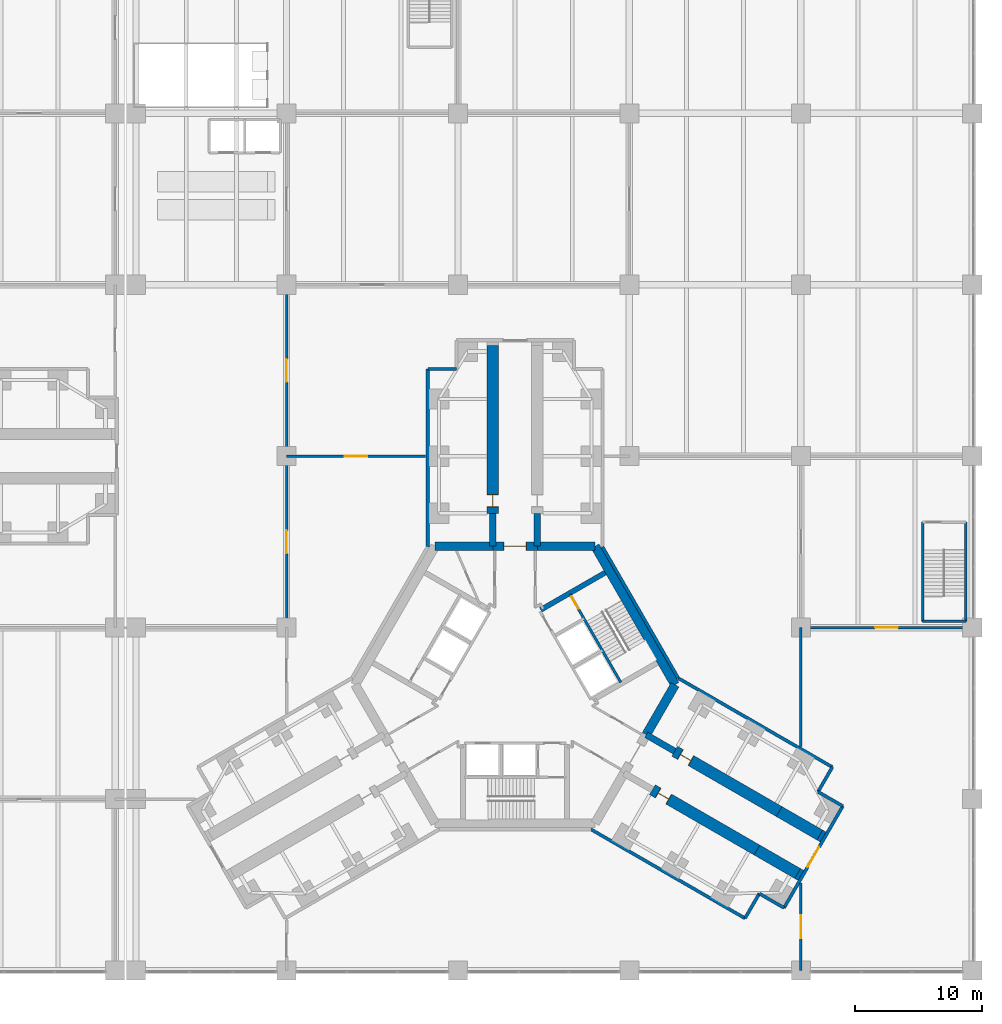
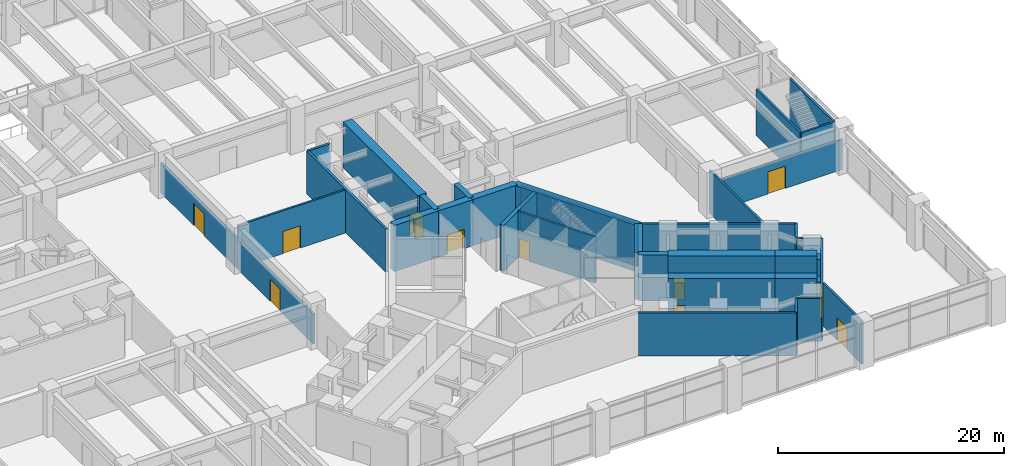
# One storey, part 26 of 32: 36 walls, 11 doors, 11 openings.
"""IFC4 building model written with IfcOpenShell, lengths in metres."""

from ifc_helpers import new_model, si_unit, direction, frame, frame_2d, origin, place, context, subcontext, project, spatial, rectangle, extrude, material, layer, layer_set, type_object, element, fill, save


model = new_model("IFC4")

# Units and contexts
model_context = context("Model", 3, precision=1e-05, world=origin(), true_north=direction((0.0, 1.0)))
body_context = subcontext(model_context, "Body", "Model", "MODEL_VIEW")
ifc_project = project(units=[si_unit("LENGTHUNIT", "METRE"), si_unit("AREAUNIT", "SQUARE_METRE"), si_unit("VOLUMEUNIT", "CUBIC_METRE"), si_unit("PLANEANGLEUNIT", "RADIAN"), si_unit("MASSUNIT", "GRAM", prefix="KILO")], contexts=[model_context])

# Site, building, storey
site_placement = place(None, origin())
site = spatial("IfcSite", under=ifc_project, at=site_placement, CompositionType="ELEMENT")
building_placement = place(site_placement, origin())
building = spatial("IfcBuilding", under=site, at=building_placement, Name="Upepo Twin Towers", CompositionType="ELEMENT")
storey_placement = place(building_placement, frame((0.0, 0.0, 10.5)))
storey = spatial("IfcBuildingStorey", under=building, at=storey_placement, Name="L02", CompositionType="ELEMENT", Elevation=10.5)

# Walls
ifc_material_1 = material(Name="Dense concrete blockwork", Category="masonry")
ifc_layer_1 = layer(ifc_material_1, 0.89990234375)
ifc_layer_set_1 = layer_set([ifc_layer_1], Name="Buttress closer 900, blockwork with fire-stopping to the curtain wall")
wall_type_1 = type_object("IfcWallType", Name="Buttress closer 900, blockwork with fire-stopping to the curtain wall", PredefinedType="PARTITIONING", material=ifc_layer_set_1)
wall_1_placement = place(storey_placement, frame((82.497802734375, -29.83447265625, 0.0), z_axis=(0.0, 0.0, 1.0), x_axis=(0.866131372301, -0.499816412211, 0.0)))
element("IfcWall", 1, at=wall_1_placement, inside=storey, type_object=wall_type_1, Name="T2 L02 wing C buttress closer L", PredefinedType="PARTITIONING", context=body_context, shape_type="SweptSolid", body=[
    extrude(rectangle(XDim=0.2998046875, YDim=0.89990234375, at=frame_2d((0.14990234375, 0.0))), origin(), (0.0, 0.0, 1.0), 4.64990234375),
])
wall_2_placement = place(storey_placement, frame((80.747802734375, -32.865478515625, 0.0), z_axis=(0.0, 0.0, 1.0), x_axis=(0.865778900179, -0.500426713919, 0.0)))
element("IfcWall", 2, at=wall_2_placement, inside=storey, type_object=wall_type_1, Name="T2 L02 wing C buttress closer R", PredefinedType="PARTITIONING", context=body_context, shape_type="SweptSolid", body=[
    extrude(rectangle(XDim=0.300048828125, YDim=0.89990234375, at=frame_2d((0.14990234375, 0.0))), origin(), (0.0, 0.0, 1.0), 4.64990234375),
])
ifc_material_2 = material(Name="Concrete C60/75", Category="concrete")
ifc_layer_2 = layer(ifc_material_2, 0.5)
ifc_layer_set_2 = layer_set([ifc_layer_2], Name="Concrete C60/75")
wall_type_2 = type_object("IfcWallType", Name="Buttress wall 500 RC", PredefinedType="SHEAR", material=ifc_layer_set_2)
for number, where, z_axis, x_axis, name in (
    (3, (56.75, -7.091552734375, 0.0), (0.0, 0.0, 1.0), (0.0, 1.0, 0.0), "T2 wing A buttress wall L"),
    (4, (60.25, -7.091552734375, 0.0), (0.0, 0.0, 1.0), (0.0, 1.0, 0.0), "T2 wing A buttress wall R"),
):
    element("IfcWall", number, at=place(storey_placement, frame(where, z_axis=z_axis, x_axis=x_axis)), inside=storey, type_object=wall_type_2, Name=name, PredefinedType="SHEAR", context=body_context, shape_type="SweptSolid", body=[
        extrude(rectangle(XDim=2.591552734375, YDim=0.5, at=frame_2d((1.2958984375, 0.0))), origin(), (0.0, 0.0, 1.0), 5.0),
    ])
wall_3_placement = place(storey_placement, frame((68.82177734375, -21.938720703125, 0.0), z_axis=(0.0, 0.0, 1.0), x_axis=(0.866072649678, -0.499918158782, 0.0)))
element("IfcWall", 5, at=wall_3_placement, inside=storey, type_object=wall_type_2, Name="T2 wing C buttress wall L", PredefinedType="SHEAR", context=body_context, shape_type="SweptSolid", body=[
    extrude(rectangle(XDim=2.591796875, YDim=0.5, at=frame_2d((1.2958984375, 0.0))), origin(), (0.0, 0.0, 1.0), 5.0),
])

# Wall, opening, door
ifc_material_3 = material(Name="Concrete C60/75", Category="concrete")
ifc_layer_3 = layer(ifc_material_3, 0.89990234375)
ifc_layer_set_3 = layer_set([ifc_layer_3], Name="Concrete C60/75")
wall_type_3 = type_object("IfcWallType", Name="Buttress wall 900 RC", PredefinedType="SHEAR", material=ifc_layer_set_3)
wall_4_placement = place(storey_placement, frame((56.75, -4.5, 0.0), z_axis=(0.0, 0.0, 1.0), x_axis=(0.0, 1.0, 0.0)))
wall_4 = element("IfcWall", 6, at=wall_4_placement, inside=storey, type_object=wall_type_3, Name="T2 wing A buttress wall L part 2", PredefinedType="SHEAR", context=body_context, shape_type="SweptSolid", body=[
    extrude(rectangle(XDim=13.199951171875, YDim=0.89990234375, at=frame_2d((6.60009765625, 0.0))), origin(), (0.0, 0.0, 1.0), 5.0),
])
opening_1_placement = place(wall_4_placement, frame((0.5, 0.0, 0.0)))
opening_1 = element("IfcOpeningElement", 7, at=opening_1_placement, cuts=wall_4, Name="Opening D1", PredefinedType="OPENING", context=body_context, shape_type="SweptSolid", body=[
    extrude(rectangle(XDim=1.0, YDim=2.10009765625, at=frame_2d((0.5, 1.050048828125))), frame((0.0, 0.4599609375, 0.0), z_axis=(0.0, -1.0, 0.0), x_axis=(1.0, 0.0, 0.0)), (0.0, 0.0, 1.0), 0.919921875),
])
ifc_material_4 = material(Name="Timber doorset", Category="wood")
door_type_1 = type_object("IfcDoorType", Name="Room door 1000 FD30", OperationType="SINGLE_SWING_LEFT", PredefinedType="DOOR", material=ifc_material_4)
door_1_placement = place(opening_1_placement, origin())
door_1 = element("IfcDoor", 8, at=door_1_placement, inside=storey, type_object=door_type_1, Name="T2 L02 library carrel room door", OperationType="SINGLE_SWING_LEFT", OverallHeight=2.10009765625, OverallWidth=1.0, PredefinedType="DOOR", context=body_context, shape_type="SweptSolid", body=[
    extrude(rectangle(XDim=0.92, YDim=2.06009765625, at=frame_2d((0.5, 1.030029296875))), frame((0.0, 0.02490234375, 0.0), z_axis=(0.0, -1.0, 0.0), x_axis=(1.0, 0.0, 0.0)), (0.0, 0.0, 1.0), 0.050048828125),
    extrude(rectangle(XDim=0.04, YDim=2.10009765625, at=frame_2d((0.02001953125, 1.050048828125))), frame((0.0, 0.44970703125, 0.0), z_axis=(0.0, -1.0, 0.0), x_axis=(1.0, 0.0, 0.0)), (0.0, 0.0, 1.0), 0.8994140625),
    extrude(rectangle(XDim=0.04, YDim=2.10009765625, at=frame_2d((0.97998046875, 1.050048828125))), frame((0.0, 0.44970703125, 0.0), z_axis=(0.0, -1.0, 0.0), x_axis=(1.0, 0.0, 0.0)), (0.0, 0.0, 1.0), 0.8994140625),
    extrude(rectangle(XDim=0.92, YDim=0.04, at=frame_2d((0.5, 2.080078125))), frame((0.0, 0.44970703125, 0.0), z_axis=(0.0, -1.0, 0.0), x_axis=(1.0, 0.0, 0.0)), (0.0, 0.0, 1.0), 0.8994140625),
])
fill(opening_1, door_1)

wall_5_placement = place(storey_placement, frame((71.06640625, -23.234375, 0.0), z_axis=(0.0, 0.0, 1.0), x_axis=(0.86602681393, -0.499997557548, 0.0)))
wall_5 = element("IfcWall", 9, at=wall_5_placement, inside=storey, type_object=wall_type_3, Name="T2 wing C buttress wall L part 2", PredefinedType="SHEAR", context=body_context, shape_type="SweptSolid", body=[
    extrude(rectangle(XDim=9.5, YDim=0.89990234375, at=frame_2d((4.75, 0.0))), origin(), (0.0, 0.0, 1.0), 5.0),
])
opening_2_placement = place(wall_5_placement, frame((0.5, 0.0, 0.0)))
opening_2 = element("IfcOpeningElement", 10, at=opening_2_placement, cuts=wall_5, Name="Opening D1", PredefinedType="OPENING", context=body_context, shape_type="SweptSolid", body=[
    extrude(rectangle(XDim=1.0, YDim=2.10009765625, at=frame_2d((0.5, 1.050048828125))), frame((0.0, 0.4599609375, 0.0), z_axis=(0.0, -1.0, 0.0), x_axis=(1.0, 0.0, 0.0)), (0.0, 0.0, 1.0), 0.919921875),
])
door_2_placement = place(opening_2_placement, origin())
door_2 = element("IfcDoor", 11, at=door_2_placement, inside=storey, type_object=door_type_1, Name="T2 L02 library carrel room door", OperationType="SINGLE_SWING_LEFT", OverallHeight=2.10009765625, OverallWidth=1.0, PredefinedType="DOOR", context=body_context, shape_type="SweptSolid", body=[
    extrude(rectangle(XDim=0.92, YDim=2.06009765625, at=frame_2d((0.5, 1.030029296875))), frame((0.0, 0.02490234375, 0.0), z_axis=(0.0, -1.0, 0.0), x_axis=(1.0, 0.0, 0.0)), (0.0, 0.0, 1.0), 0.050048828125),
    extrude(rectangle(XDim=0.04, YDim=2.10009765625, at=frame_2d((0.02001953125, 1.050048828125))), frame((0.0, 0.44970703125, 0.0), z_axis=(0.0, -1.0, 0.0), x_axis=(1.0, 0.0, 0.0)), (0.0, 0.0, 1.0), 0.8994140625),
    extrude(rectangle(XDim=0.04, YDim=2.10009765625, at=frame_2d((0.97998046875, 1.050048828125))), frame((0.0, 0.44970703125, 0.0), z_axis=(0.0, -1.0, 0.0), x_axis=(1.0, 0.0, 0.0)), (0.0, 0.0, 1.0), 0.8994140625),
    extrude(rectangle(XDim=0.92, YDim=0.04, at=frame_2d((0.5, 2.080078125))), frame((0.0, 0.44970703125, 0.0), z_axis=(0.0, -1.0, 0.0), x_axis=(1.0, 0.0, 0.0)), (0.0, 0.0, 1.0), 0.8994140625),
])
fill(opening_2, door_2)

# Wall
wall_6_placement = place(storey_placement, frame((79.293701171875, -27.984375, 0.0), z_axis=(0.0, 0.0, 1.0), x_axis=(0.866000971088, -0.500042316284, 0.0)))
element("IfcWall", 12, at=wall_6_placement, inside=storey, type_object=wall_type_3, Name="T2 wing C buttress wall L part 3", PredefinedType="SHEAR", context=body_context, shape_type="SweptSolid", body=[
    extrude(rectangle(XDim=3.699951171875, YDim=0.89990234375, at=frame_2d((1.85009765625, 0.0))), origin(), (0.0, 0.0, 1.0), 5.0),
])

# Wall, opening, door
wall_7_placement = place(storey_placement, frame((69.31640625, -26.265625, 0.0), z_axis=(0.0, 0.0, 1.0), x_axis=(0.86602681393, -0.499997557548, 0.0)))
wall_7 = element("IfcWall", 13, at=wall_7_placement, inside=storey, type_object=wall_type_3, Name="T2 wing C buttress wall R part 2", PredefinedType="SHEAR", context=body_context, shape_type="SweptSolid", body=[
    extrude(rectangle(XDim=9.5, YDim=0.89990234375, at=frame_2d((4.75, 0.0))), origin(), (0.0, 0.0, 1.0), 5.0),
])
opening_3_placement = place(wall_7_placement, frame((0.5, 0.0, 0.0)))
opening_3 = element("IfcOpeningElement", 14, at=opening_3_placement, cuts=wall_7, Name="Opening D1", PredefinedType="OPENING", context=body_context, shape_type="SweptSolid", body=[
    extrude(rectangle(XDim=1.0, YDim=2.10009765625, at=frame_2d((0.5, 1.050048828125))), frame((0.0, 0.4599609375, 0.0), z_axis=(0.0, -1.0, 0.0), x_axis=(1.0, 0.0, 0.0)), (0.0, 0.0, 1.0), 0.919921875),
])
door_3_placement = place(opening_3_placement, origin())
door_3 = element("IfcDoor", 15, at=door_3_placement, inside=storey, type_object=door_type_1, Name="T2 L02 library carrel room door", OperationType="SINGLE_SWING_LEFT", OverallHeight=2.10009765625, OverallWidth=1.0, PredefinedType="DOOR", context=body_context, shape_type="SweptSolid", body=[
    extrude(rectangle(XDim=0.92, YDim=2.06009765625, at=frame_2d((0.5, 1.030029296875))), frame((0.0, 0.02490234375, 0.0), z_axis=(0.0, -1.0, 0.0), x_axis=(1.0, 0.0, 0.0)), (0.0, 0.0, 1.0), 0.050048828125),
    extrude(rectangle(XDim=0.04, YDim=2.10009765625, at=frame_2d((0.02001953125, 1.050048828125))), frame((0.0, 0.44970703125, 0.0), z_axis=(0.0, -1.0, 0.0), x_axis=(1.0, 0.0, 0.0)), (0.0, 0.0, 1.0), 0.8994140625),
    extrude(rectangle(XDim=0.04, YDim=2.10009765625, at=frame_2d((0.97998046875, 1.050048828125))), frame((0.0, 0.44970703125, 0.0), z_axis=(0.0, -1.0, 0.0), x_axis=(1.0, 0.0, 0.0)), (0.0, 0.0, 1.0), 0.8994140625),
    extrude(rectangle(XDim=0.92, YDim=0.04, at=frame_2d((0.5, 2.080078125))), frame((0.0, 0.44970703125, 0.0), z_axis=(0.0, -1.0, 0.0), x_axis=(1.0, 0.0, 0.0)), (0.0, 0.0, 1.0), 0.8994140625),
])
fill(opening_3, door_3)

# Walls
wall_8_placement = place(storey_placement, frame((77.543701171875, -31.015625, 0.0), z_axis=(0.0, 0.0, 1.0), x_axis=(0.866029545028, -0.499992827086, 0.0)))
element("IfcWall", 16, at=wall_8_placement, inside=storey, type_object=wall_type_3, Name="T2 wing C buttress wall R part 3", PredefinedType="SHEAR", context=body_context, shape_type="SweptSolid", body=[
    extrude(rectangle(XDim=3.69970703125, YDim=0.89990234375, at=frame_2d((1.849853515625, 0.0))), origin(), (0.0, 0.0, 1.0), 5.0),
])
ifc_material_5 = material(Name="Concrete C60/75", Category="concrete")
ifc_layer_4 = layer(ifc_material_5, 0.699951171875)
ifc_layer_set_4 = layer_set([ifc_layer_4], Name="Concrete C60/75")
wall_type_4 = type_object("IfcWallType", Name="Core wall 700 RC", PredefinedType="SHEAR", material=ifc_layer_set_4)
wall_9_placement = place(storey_placement, frame((64.7978515625, -7.091552734375, 0.0), z_axis=(0.0, 0.0, 1.0), x_axis=(-1.0, 0.0, 0.0)))
element("IfcWall", 17, at=wall_9_placement, inside=storey, type_object=wall_type_4, Name="T2 core wall 000 R", PredefinedType="SHEAR", context=body_context, shape_type="SweptSolid", body=[
    extrude(rectangle(XDim=4.5478515625, YDim=0.699951171875, at=frame_2d((2.27392578125, 0.0))), origin(), (0.0, 0.0, 1.0), 5.0),
])

# Wall, opening, door
wall_10_placement = place(storey_placement, frame((60.25, -7.091552734375, 0.0), z_axis=(0.0, 0.0, 1.0), x_axis=(-1.0, 0.0, 0.0)))
wall_10 = element("IfcWall", 18, at=wall_10_placement, inside=storey, type_object=wall_type_4, Name="T2 core wall 000", PredefinedType="SHEAR", context=body_context, shape_type="SweptSolid", body=[
    extrude(rectangle(XDim=3.5, YDim=0.699951171875, at=frame_2d((1.75, 0.0))), origin(), (0.0, 0.0, 1.0), 5.0),
])
opening_4_placement = place(wall_10_placement, frame((0.85009765625, 0.0, 0.0)))
opening_4 = element("IfcOpeningElement", 19, at=opening_4_placement, cuts=wall_10, Name="Opening D2", PredefinedType="OPENING", context=body_context, shape_type="SweptSolid", body=[
    extrude(rectangle(XDim=1.800048828125, YDim=2.10009765625, at=frame_2d((0.89990234375, 1.050048828125))), frame((0.0, 0.35986328125, 0.0), z_axis=(0.0, -1.0, 0.0), x_axis=(1.0, 0.0, 0.0)), (0.0, 0.0, 1.0), 0.719970703125),
])
ifc_material_6 = material(Name="Timber doorset", Category="wood")
door_type_2 = type_object("IfcDoorType", Name="Corridor double door 1800 FD60", OperationType="DOUBLE_DOOR_DOUBLE_SWING", PredefinedType="DOOR", material=ifc_material_6)
door_4_placement = place(opening_4_placement, origin())
door_4 = element("IfcDoor", 20, at=door_4_placement, inside=storey, type_object=door_type_2, Name="T2 L02 wing A corridor door", OperationType="DOUBLE_DOOR_DOUBLE_SWING", OverallHeight=2.10009765625, OverallWidth=1.800048828125, PredefinedType="DOOR", context=body_context, shape_type="SweptSolid", body=[
    extrude(rectangle(XDim=1.720048828125, YDim=2.06009765625, at=frame_2d((0.89990234375, 1.030029296875))), frame((0.0, 0.02490234375, 0.0), z_axis=(0.0, -1.0, 0.0), x_axis=(1.0, 0.0, 0.0)), (0.0, 0.0, 1.0), 0.050048828125),
    extrude(rectangle(XDim=0.04, YDim=2.10009765625, at=frame_2d((0.02001953125, 1.050048828125))), frame((0.0, 0.349609375, 0.0), z_axis=(0.0, -1.0, 0.0), x_axis=(1.0, 0.0, 0.0)), (0.0, 0.0, 1.0), 0.699462890625),
    extrude(rectangle(XDim=0.04, YDim=2.10009765625, at=frame_2d((1.780029296875, 1.050048828125))), frame((0.0, 0.349609375, 0.0), z_axis=(0.0, -1.0, 0.0), x_axis=(1.0, 0.0, 0.0)), (0.0, 0.0, 1.0), 0.699462890625),
    extrude(rectangle(XDim=1.720048828125, YDim=0.04, at=frame_2d((0.89990234375, 2.080078125))), frame((0.0, 0.349609375, 0.0), z_axis=(0.0, -1.0, 0.0), x_axis=(1.0, 0.0, 0.0)), (0.0, 0.0, 1.0), 0.699462890625),
])
fill(opening_4, door_4)

# Walls
wall_11_placement = place(storey_placement, frame((56.75, -7.091552734375, 0.0), z_axis=(0.0, 0.0, 1.0), x_axis=(-1.0, 0.0, 0.0)))
element("IfcWall", 21, at=wall_11_placement, inside=storey, type_object=wall_type_4, Name="T2 core wall 000 L", PredefinedType="SHEAR", context=body_context, shape_type="SweptSolid", body=[
    extrude(rectangle(XDim=4.5478515625, YDim=0.699951171875, at=frame_2d((2.27392578125, 0.0))), origin(), (0.0, 0.0, 1.0), 5.0),
])
wall_12_placement = place(storey_placement, frame((68.82177734375, -21.938720703125, 0.0), z_axis=(0.0, 0.0, 1.0), x_axis=(0.500024481964, 0.866011268655, 0.0)))
element("IfcWall", 22, at=wall_12_placement, inside=storey, type_object=wall_type_4, Name="T2 core wall 240 L", PredefinedType="SHEAR", context=body_context, shape_type="SweptSolid", body=[
    extrude(rectangle(XDim=4.548095703125, YDim=0.699951171875, at=frame_2d((2.27392578125, 0.0))), origin(), (0.0, 0.0, 1.0), 5.0),
])
wall_13_placement = place(storey_placement, frame((71.095947265625, -18.0, 0.0), z_axis=(0.0, 0.0, 1.0), x_axis=(-0.500005998175, 0.866021940709, 0.0)))
element("IfcWall", 23, at=wall_13_placement, inside=storey, type_object=wall_type_4, Name="T2 core wall 300", PredefinedType="SHEAR", context=body_context, shape_type="SweptSolid", body=[
    extrude(rectangle(XDim=12.595947265625, YDim=0.699951171875, at=frame_2d((6.2978515625, 0.0))), origin(), (0.0, 0.0, 1.0), 5.0),
])

# Wall, opening, door
ifc_material_7 = material(Name="Concrete blockwork", Category="masonry")
ifc_layer_5 = layer(ifc_material_7, 0.199951171875)
ifc_layer_set_5 = layer_set([ifc_layer_5], Name="Podium partition 200 blockwork")
wall_type_5 = type_object("IfcWallType", Name="Podium partition 200 blockwork", PredefinedType="PARTITIONING", material=ifc_layer_set_5)
wall_14_placement = place(storey_placement, frame((40.5, -13.5, 0.0), z_axis=(0.0, 0.0, 1.0), x_axis=(0.0, 1.0, 0.0)))
wall_14 = element("IfcWall", 24, at=wall_14_placement, inside=storey, type_object=wall_type_5, Name="L02 podium wall X52", PredefinedType="PARTITIONING", context=body_context, shape_type="SweptSolid", body=[
    extrude(rectangle(XDim=13.5, YDim=0.199951171875, at=frame_2d((6.75, 0.0))), origin(), (0.0, 0.0, 1.0), 3.25),
])
opening_5_placement = place(wall_14_placement, frame((5.85009765625, 0.0, 0.0)))
opening_5 = element("IfcOpeningElement", 25, at=opening_5_placement, cuts=wall_14, Name="Opening D10", PredefinedType="OPENING", context=body_context, shape_type="SweptSolid", body=[
    extrude(rectangle(XDim=1.800048828125, YDim=2.39990234375, at=frame_2d((0.89990234375, 1.199951171875))), frame((0.0, 0.10986328125, 0.0), z_axis=(0.0, -1.0, 0.0), x_axis=(1.0, 0.0, 0.0)), (0.0, 0.0, 1.0), 0.219970703125),
])
ifc_material_8 = material(Name="Timber doorset", Category="wood")
door_type_3 = type_object("IfcDoorType", Name="Podium double door 1800", OperationType="DOUBLE_DOOR_DOUBLE_SWING", PredefinedType="DOOR", material=ifc_material_8)
door_5_placement = place(opening_5_placement, origin())
door_5 = element("IfcDoor", 26, at=door_5_placement, inside=storey, type_object=door_type_3, Name="L02 library stacks 2.02 annex 3 door", OperationType="DOUBLE_DOOR_DOUBLE_SWING", OverallHeight=2.39990234375, OverallWidth=1.800048828125, PredefinedType="DOOR", context=body_context, shape_type="SweptSolid", body=[
    extrude(rectangle(XDim=1.800048828125, YDim=2.39990234375, at=frame_2d((0.89990234375, 1.199951171875))), frame((0.0, 0.02490234375, 0.0), z_axis=(0.0, -1.0, 0.0), x_axis=(1.0, 0.0, 0.0)), (0.0, 0.0, 1.0), 0.050048828125),
])
fill(opening_5, door_5)

wall_15_placement = place(storey_placement, frame((40.5, 0.0, 0.0), z_axis=(0.0, 0.0, 1.0), x_axis=(0.0, 1.0, 0.0)))
wall_15 = element("IfcWall", 27, at=wall_15_placement, inside=storey, type_object=wall_type_5, Name="L02 podium wall X53", PredefinedType="PARTITIONING", context=body_context, shape_type="SweptSolid", body=[
    extrude(rectangle(XDim=13.5, YDim=0.199951171875, at=frame_2d((6.75, 0.0))), origin(), (0.0, 0.0, 1.0), 3.25),
])
opening_6_placement = place(wall_15_placement, frame((5.85009765625, 0.0, 0.0)))
opening_6 = element("IfcOpeningElement", 28, at=opening_6_placement, cuts=wall_15, Name="Opening D10", PredefinedType="OPENING", context=body_context, shape_type="SweptSolid", body=[
    extrude(rectangle(XDim=1.800048828125, YDim=2.39990234375, at=frame_2d((0.89990234375, 1.199951171875))), frame((0.0, 0.10986328125, 0.0), z_axis=(0.0, -1.0, 0.0), x_axis=(1.0, 0.0, 0.0)), (0.0, 0.0, 1.0), 0.219970703125),
])
door_6_placement = place(opening_6_placement, origin())
door_6 = element("IfcDoor", 29, at=door_6_placement, inside=storey, type_object=door_type_3, Name="L02 library stacks door", OperationType="DOUBLE_DOOR_DOUBLE_SWING", OverallHeight=2.39990234375, OverallWidth=1.800048828125, PredefinedType="DOOR", context=body_context, shape_type="SweptSolid", body=[
    extrude(rectangle(XDim=1.800048828125, YDim=2.39990234375, at=frame_2d((0.89990234375, 1.199951171875))), frame((0.0, 0.02490234375, 0.0), z_axis=(0.0, -1.0, 0.0), x_axis=(1.0, 0.0, 0.0)), (0.0, 0.0, 1.0), 0.050048828125),
])
fill(opening_6, door_6)

wall_16_placement = place(storey_placement, frame((40.5, 0.0, 0.0), z_axis=(0.0, 0.0, 1.0), x_axis=(1.0, 0.0, 0.0)))
wall_16 = element("IfcWall", 30, at=wall_16_placement, inside=storey, type_object=wall_type_5, Name="L02 podium wall Y53", PredefinedType="PARTITIONING", context=body_context, shape_type="SweptSolid", body=[
    extrude(rectangle(XDim=10.949951171875, YDim=0.199951171875, at=frame_2d((5.47509765625, 0.0))), origin(), (0.0, 0.0, 1.0), 4.64990234375),
])
opening_7_placement = place(wall_16_placement, frame((4.574951171875, 0.0, 0.0)))
opening_7 = element("IfcOpeningElement", 31, at=opening_7_placement, cuts=wall_16, Name="Opening D10", PredefinedType="OPENING", context=body_context, shape_type="SweptSolid", body=[
    extrude(rectangle(XDim=1.800048828125, YDim=2.39990234375, at=frame_2d((0.89990234375, 1.199951171875))), frame((0.0, 0.10986328125, 0.0), z_axis=(0.0, -1.0, 0.0), x_axis=(1.0, 0.0, 0.0)), (0.0, 0.0, 1.0), 0.219970703125),
])
door_7_placement = place(opening_7_placement, origin())
door_7 = element("IfcDoor", 32, at=door_7_placement, inside=storey, type_object=door_type_3, Name="L02 library stacks 2.02-library stacks door", OperationType="DOUBLE_DOOR_DOUBLE_SWING", OverallHeight=2.39990234375, OverallWidth=1.800048828125, PredefinedType="DOOR", context=body_context, shape_type="SweptSolid", body=[
    extrude(rectangle(XDim=1.800048828125, YDim=2.39990234375, at=frame_2d((0.89990234375, 1.199951171875))), frame((0.0, 0.02490234375, 0.0), z_axis=(0.0, -1.0, 0.0), x_axis=(1.0, 0.0, 0.0)), (0.0, 0.0, 1.0), 0.050048828125),
])
fill(opening_7, door_7)

wall_17_placement = place(storey_placement, frame((81.0, -40.5, 0.0), z_axis=(0.0, 0.0, 1.0), x_axis=(0.0, 1.0, 0.0)))
wall_17 = element("IfcWall", 33, at=wall_17_placement, inside=storey, type_object=wall_type_5, Name="L02 podium wall X80", PredefinedType="PARTITIONING", context=body_context, shape_type="SweptSolid", body=[
    extrude(rectangle(XDim=6.87109375, YDim=0.199951171875, at=frame_2d((3.435546875, 0.0))), origin(), (0.0, 0.0, 1.0), 4.64990234375),
])
opening_8_placement = place(wall_17_placement, frame((2.53564453125, 0.0, 0.0)))
opening_8 = element("IfcOpeningElement", 34, at=opening_8_placement, cuts=wall_17, Name="Opening D10", PredefinedType="OPENING", context=body_context, shape_type="SweptSolid", body=[
    extrude(rectangle(XDim=1.800048828125, YDim=2.39990234375, at=frame_2d((0.89990234375, 1.199951171875))), frame((0.0, 0.10986328125, 0.0), z_axis=(0.0, -1.0, 0.0), x_axis=(1.0, 0.0, 0.0)), (0.0, 0.0, 1.0), 0.219970703125),
])
door_8_placement = place(opening_8_placement, origin())
door_8 = element("IfcDoor", 35, at=door_8_placement, inside=storey, type_object=door_type_3, Name="L02 library stacks 2.02-research offices 2.01 door", OperationType="DOUBLE_DOOR_DOUBLE_SWING", OverallHeight=2.39990234375, OverallWidth=1.800048828125, PredefinedType="DOOR", context=body_context, shape_type="SweptSolid", body=[
    extrude(rectangle(XDim=1.800048828125, YDim=2.39990234375, at=frame_2d((0.89990234375, 1.199951171875))), frame((0.0, 0.02490234375, 0.0), z_axis=(0.0, -1.0, 0.0), x_axis=(1.0, 0.0, 0.0)), (0.0, 0.0, 1.0), 0.050048828125),
])
fill(opening_8, door_8)

# Wall
wall_18_placement = place(storey_placement, frame((81.0, -22.849853515625, 0.0), z_axis=(0.0, 0.0, 1.0), x_axis=(0.0, 1.0, 0.0)))
element("IfcWall", 36, at=wall_18_placement, inside=storey, type_object=wall_type_5, Name="L02 podium wall X81", PredefinedType="PARTITIONING", context=body_context, shape_type="SweptSolid", body=[
    extrude(rectangle(XDim=9.349853515625, YDim=0.199951171875, at=frame_2d((4.6748046875, 0.0))), origin(), (0.0, 0.0, 1.0), 4.64990234375),
])

# Wall, opening, door
wall_19_placement = place(storey_placement, frame((81.0, -13.5, 0.0), z_axis=(0.0, 0.0, 1.0), x_axis=(1.0, 0.0, 0.0)))
wall_19 = element("IfcWall", 37, at=wall_19_placement, inside=storey, type_object=wall_type_5, Name="L02 podium wall Y82", PredefinedType="PARTITIONING", context=body_context, shape_type="SweptSolid", body=[
    extrude(rectangle(XDim=13.5, YDim=0.199951171875, at=frame_2d((6.75, 0.0))), origin(), (0.0, 0.0, 1.0), 3.25),
])
opening_9_placement = place(wall_19_placement, frame((5.85009765625, 0.0, 0.0)))
opening_9 = element("IfcOpeningElement", 38, at=opening_9_placement, cuts=wall_19, Name="Opening D10", PredefinedType="OPENING", context=body_context, shape_type="SweptSolid", body=[
    extrude(rectangle(XDim=1.800048828125, YDim=2.39990234375, at=frame_2d((0.89990234375, 1.199951171875))), frame((0.0, 0.10986328125, 0.0), z_axis=(0.0, -1.0, 0.0), x_axis=(1.0, 0.0, 0.0)), (0.0, 0.0, 1.0), 0.219970703125),
])
door_9_placement = place(opening_9_placement, origin())
door_9 = element("IfcDoor", 39, at=door_9_placement, inside=storey, type_object=door_type_3, Name="L02 research offices 2.01 door", OperationType="DOUBLE_DOOR_DOUBLE_SWING", OverallHeight=2.39990234375, OverallWidth=1.800048828125, PredefinedType="DOOR", context=body_context, shape_type="SweptSolid", body=[
    extrude(rectangle(XDim=1.800048828125, YDim=2.39990234375, at=frame_2d((0.89990234375, 1.199951171875))), frame((0.0, 0.02490234375, 0.0), z_axis=(0.0, -1.0, 0.0), x_axis=(1.0, 0.0, 0.0)), (0.0, 0.0, 1.0), 0.050048828125),
])
fill(opening_9, door_9)

# Walls
ifc_material_9 = material(Name="Concrete C40/50", Category="concrete")
ifc_layer_6 = layer(ifc_material_9, 0.199951171875)
ifc_layer_set_6 = layer_set([ifc_layer_6], Name="Concrete C40/50")
wall_type_6 = type_object("IfcWallType", Name="Podium stair enclosure 200 RC", PredefinedType="SHEAR", material=ifc_layer_set_6)
wall_20_placement = place(storey_placement, frame((90.60009765625, -13.0, 0.0), z_axis=(0.0, 0.0, 1.0), x_axis=(1.0, 0.0, 0.0)))
element("IfcWall", 40, at=wall_20_placement, inside=storey, type_object=wall_type_6, Name="PS2 L02 enclosure wall 1", PredefinedType="SHEAR", context=body_context, shape_type="SweptSolid", body=[
    extrude(rectangle(XDim=3.39990234375, YDim=0.199951171875, at=frame_2d((1.699951171875, 0.0))), origin(), (0.0, 0.0, 1.0), 5.0),
])
for number, where, z_axis, x_axis, name in (
    (41, (94.0, -13.0, 0.0), (0.0, 0.0, 1.0), (0.0, 1.0, 0.0), "PS2 L02 enclosure wall 2"),
    (42, (90.60009765625, -5.199951171875, 0.0), (0.0, 0.0, 1.0), (0.0, -1.0, 0.0), "PS2 L02 enclosure wall 4"),
):
    element("IfcWall", number, at=place(storey_placement, frame(where, z_axis=z_axis, x_axis=x_axis)), inside=storey, type_object=wall_type_6, Name=name, PredefinedType="SHEAR", context=body_context, shape_type="SweptSolid", body=[
        extrude(rectangle(XDim=7.800048828125, YDim=0.199951171875, at=frame_2d((3.89990234375, 0.0))), origin(), (0.0, 0.0, 1.0), 5.0),
    ])

# Wall, opening, door
ifc_material_10 = material(Name="Concrete C40/50", Category="concrete")
ifc_layer_7 = layer(ifc_material_10, 0.199951171875)
ifc_layer_set_7 = layer_set([ifc_layer_7], Name="Concrete C40/50")
wall_type_7 = type_object("IfcWallType", Name="Shaft wall 200 RC", PredefinedType="SHEAR", material=ifc_layer_set_7)
wall_21_placement = place(storey_placement, frame((66.822021484375, -17.814208984375, 0.0), z_axis=(0.0, 0.0, 1.0), x_axis=(-0.49999894854, 0.866026010844, 0.0)))
wall_21 = element("IfcWall", 43, at=wall_21_placement, inside=storey, type_object=wall_type_7, Name="T2 core W300 stair wall", PredefinedType="SHEAR", context=body_context, shape_type="SweptSolid", body=[
    extrude(rectangle(XDim=8.0, YDim=0.199951171875, at=frame_2d((4.0, 0.0))), origin(), (0.0, 0.0, 1.0), 5.0),
])
opening_10_placement = place(wall_21_placement, frame((6.699951171875, 0.0, 0.0)))
opening_10 = element("IfcOpeningElement", 44, at=opening_10_placement, cuts=wall_21, Name="Opening D3", PredefinedType="OPENING", context=body_context, shape_type="SweptSolid", body=[
    extrude(rectangle(XDim=1.10009765625, YDim=2.10009765625, at=frame_2d((0.550048828125, 1.050048828125))), frame((0.0, 0.10986328125, 0.0), z_axis=(0.0, -1.0, 0.0), x_axis=(1.0, 0.0, 0.0)), (0.0, 0.0, 1.0), 0.219970703125),
])
ifc_material_11 = material(Name="Timber doorset", Category="wood")
door_type_4 = type_object("IfcDoorType", Name="Stair door 1100 FD60", OperationType="SINGLE_SWING_LEFT", PredefinedType="DOOR", material=ifc_material_11)
door_10_placement = place(opening_10_placement, origin())
door_10 = element("IfcDoor", 45, at=door_10_placement, inside=storey, type_object=door_type_4, Name="T2 L02 stair door", OperationType="SINGLE_SWING_RIGHT", OverallHeight=2.10009765625, OverallWidth=1.10009765625, PredefinedType="DOOR", context=body_context, shape_type="SweptSolid", body=[
    extrude(rectangle(XDim=1.10009765625, YDim=2.10009765625, at=frame_2d((0.550048828125, 1.050048828125))), frame((0.0, 0.02490234375, 0.0), z_axis=(0.0, -1.0, 0.0), x_axis=(1.0, 0.0, 0.0)), (0.0, 0.0, 1.0), 0.050048828125),
])
fill(opening_10, door_10)

# Walls
ifc_material_12 = material(Name="Concrete C40/50", Category="concrete")
ifc_layer_8 = layer(ifc_material_12, 0.39990234375)
ifc_layer_set_8 = layer_set([ifc_layer_8], Name="Concrete C40/50")
wall_type_8 = type_object("IfcWallType", Name="Shaft wall 400 RC", PredefinedType="SHEAR", material=ifc_layer_set_8)
wall_22_placement = place(storey_placement, frame((60.520263671875, -12.099365234375, 0.0), z_axis=(0.0, 0.0, 1.0), x_axis=(0.866023886965, 0.500002627198, 0.0)))
element("IfcWall", 46, at=wall_22_placement, inside=storey, type_object=wall_type_8, Name="T2 core W300 side wall N", PredefinedType="SHEAR", context=body_context, shape_type="SweptSolid", body=[
    extrude(rectangle(XDim=5.8583984375, YDim=0.39990234375, at=frame_2d((2.92919921875, 0.0))), origin(), (0.0, 0.0, 1.0), 5.0),
])
ifc_material_13 = material(Name="Concrete blockwork", Category="masonry")
ifc_layer_9 = layer(ifc_material_13, 0.25)
ifc_layer_set_9 = layer_set([ifc_layer_9], Name="Tower enclosure wall 250 blockwork")
wall_type_9 = type_object("IfcWallType", Name="Tower enclosure wall 250 blockwork", PredefinedType="STANDARD", material=ifc_layer_set_9)
wall_23_placement = place(storey_placement, frame((82.35498046875, -26.43212890625, 0.0), z_axis=(0.0, 0.0, 1.0), x_axis=(0.866017533419, -0.500013631625, 0.0)))
element("IfcWall", 47, at=wall_23_placement, inside=storey, type_object=wall_type_9, Name="T2 L02 enclosure wall 1", PredefinedType="STANDARD", context=body_context, shape_type="SweptSolid", body=[
    extrude(rectangle(XDim=2.25, YDim=0.25, at=frame_2d((1.125, 0.0))), origin(), (0.0, 0.0, 1.0), 4.64990234375),
])

# Wall, opening, door
wall_24_placement = place(storey_placement, frame((84.303466796875, -27.55712890625, 0.0), z_axis=(0.0, 0.0, 1.0), x_axis=(-0.499999662836, -0.866025598446, 0.0)))
wall_24 = element("IfcWall", 48, at=wall_24_placement, inside=storey, type_object=wall_type_9, Name="T2 L02 enclosure wall 2", PredefinedType="STANDARD", context=body_context, shape_type="SweptSolid", body=[
    extrude(rectangle(XDim=9.25, YDim=0.25, at=frame_2d((4.625, 0.0))), origin(), (0.0, 0.0, 1.0), 4.64990234375),
])
opening_11_placement = place(wall_24_placement, frame((3.72509765625, 0.0, 0.0)))
opening_11 = element("IfcOpeningElement", 49, at=opening_11_placement, cuts=wall_24, Name="Opening D2", PredefinedType="OPENING", context=body_context, shape_type="SweptSolid", body=[
    extrude(rectangle(XDim=1.800048828125, YDim=2.10009765625, at=frame_2d((0.89990234375, 1.050048828125))), frame((0.0, 0.135009765625, 0.0), z_axis=(0.0, -1.0, 0.0), x_axis=(1.0, 0.0, 0.0)), (0.0, 0.0, 1.0), 0.27001953125),
])
door_11_placement = place(opening_11_placement, origin())
door_11 = element("IfcDoor", 50, at=door_11_placement, inside=storey, type_object=door_type_2, Name="T2 L02 wing C podium door", OperationType="DOUBLE_DOOR_DOUBLE_SWING", OverallHeight=2.10009765625, OverallWidth=1.800048828125, PredefinedType="DOOR", context=body_context, shape_type="SweptSolid", body=[
    extrude(rectangle(XDim=1.800048828125, YDim=2.10009765625, at=frame_2d((0.89990234375, 1.050048828125))), frame((0.0, 0.02490234375, 0.0), z_axis=(0.0, -1.0, 0.0), x_axis=(1.0, 0.0, 0.0)), (0.0, 0.0, 1.0), 0.050048828125),
])
fill(opening_11, door_11)

# Walls
for number, where, z_axis, x_axis, name in (
    (51, (79.678466796875, -35.56787109375, 0.0), (0.0, 0.0, 1.0), (-0.866017533419, 0.500013631625, 0.0), "T2 L02 enclosure wall 3"),
    (52, (77.72998046875, -34.44287109375, 0.0), (0.0, 0.0, 1.0), (-0.500013631625, -0.866017533419, 0.0), "T2 L02 enclosure wall 4"),
):
    element("IfcWall", number, at=place(storey_placement, frame(where, z_axis=z_axis, x_axis=x_axis)), inside=storey, type_object=wall_type_9, Name=name, PredefinedType="STANDARD", context=body_context, shape_type="SweptSolid", body=[
        extrude(rectangle(XDim=2.25, YDim=0.25, at=frame_2d((1.125, 0.0))), origin(), (0.0, 0.0, 1.0), 4.64990234375),
    ])
for number, where, z_axis, x_axis, name in (
    (53, (76.60498046875, -36.391357421875, 0.0), (0.0, 0.0, 1.0), (-0.866027500821, 0.499996367808, 0.0), "T2 L02 enclosure wall 5"),
    (54, (51.625, -7.14111328125, 0.0), (0.0, 0.0, 1.0), (0.0, 1.0, 0.0), "T2 L02 enclosure wall 15"),
):
    element("IfcWall", number, at=place(storey_placement, frame(where, z_axis=z_axis, x_axis=x_axis)), inside=storey, type_object=wall_type_9, Name=name, PredefinedType="STANDARD", context=body_context, shape_type="SweptSolid", body=[
        extrude(rectangle(XDim=14.01611328125, YDim=0.25, at=frame_2d((7.008056640625, 0.0))), origin(), (0.0, 0.0, 1.0), 4.64990234375),
    ])
wall_25_placement = place(storey_placement, frame((51.625, 6.875, 0.0), z_axis=(0.0, 0.0, 1.0), x_axis=(1.0, 0.0, 0.0)))
element("IfcWall", 55, at=wall_25_placement, inside=storey, type_object=wall_type_9, Name="T2 L02 enclosure wall 16", PredefinedType="STANDARD", context=body_context, shape_type="SweptSolid", body=[
    extrude(rectangle(XDim=2.25, YDim=0.25, at=frame_2d((1.125, 0.0))), origin(), (0.0, 0.0, 1.0), 4.64990234375),
])
wall_26_placement = place(storey_placement, frame((65.375, -7.14111328125, 0.0), z_axis=(0.0, 0.0, 1.0), x_axis=(0.499996365031, -0.866027502425, 0.0)))
element("IfcWall", 56, at=wall_26_placement, inside=storey, type_object=wall_type_9, Name="T2 L02 enclosure wall 22", PredefinedType="STANDARD", context=body_context, shape_type="SweptSolid", body=[
    extrude(rectangle(XDim=11.93310546875, YDim=0.25, at=frame_2d((5.966552734375, 0.0))), origin(), (0.0, 0.0, 1.0), 4.64990234375),
])
wall_27_placement = place(storey_placement, frame((71.341552734375, -17.4755859375, 0.0), z_axis=(0.0, 0.0, 1.0), x_axis=(0.866027500821, -0.499996367808, 0.0)))
element("IfcWall", 57, at=wall_27_placement, inside=storey, type_object=wall_type_9, Name="T2 L02 enclosure wall 23", PredefinedType="STANDARD", context=body_context, shape_type="SweptSolid", body=[
    extrude(rectangle(XDim=14.01611328125, YDim=0.25, at=frame_2d((7.008056640625, 0.0))), origin(), (0.0, 0.0, 1.0), 4.64990234375),
])
wall_28_placement = place(storey_placement, frame((83.47998046875, -24.483642578125, 0.0), z_axis=(0.0, 0.0, 1.0), x_axis=(-0.500013631625, -0.866017533419, 0.0)))
element("IfcWall", 58, at=wall_28_placement, inside=storey, type_object=wall_type_9, Name="T2 L02 enclosure wall 24", PredefinedType="STANDARD", context=body_context, shape_type="SweptSolid", body=[
    extrude(rectangle(XDim=2.25, YDim=0.25, at=frame_2d((1.125, 0.0))), origin(), (0.0, 0.0, 1.0), 4.64990234375),
])

save(model, "model.ifc")
